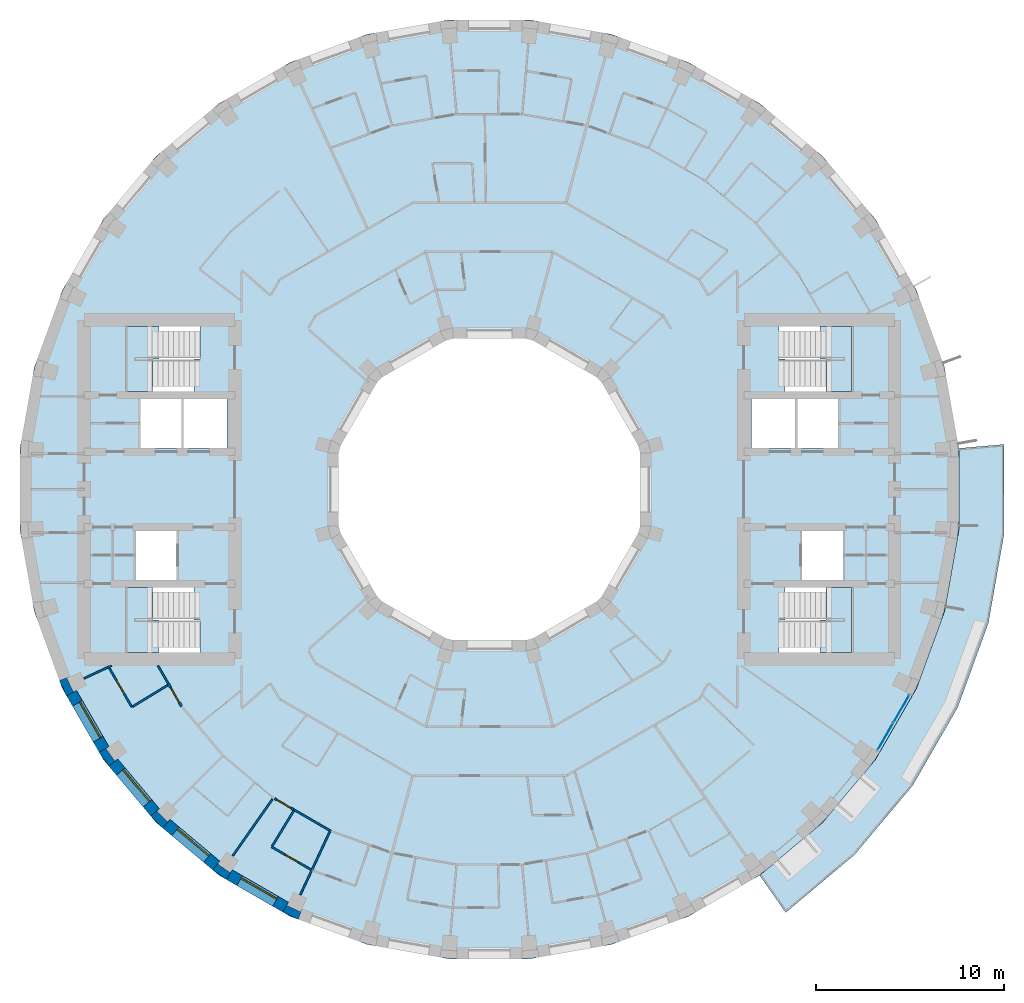
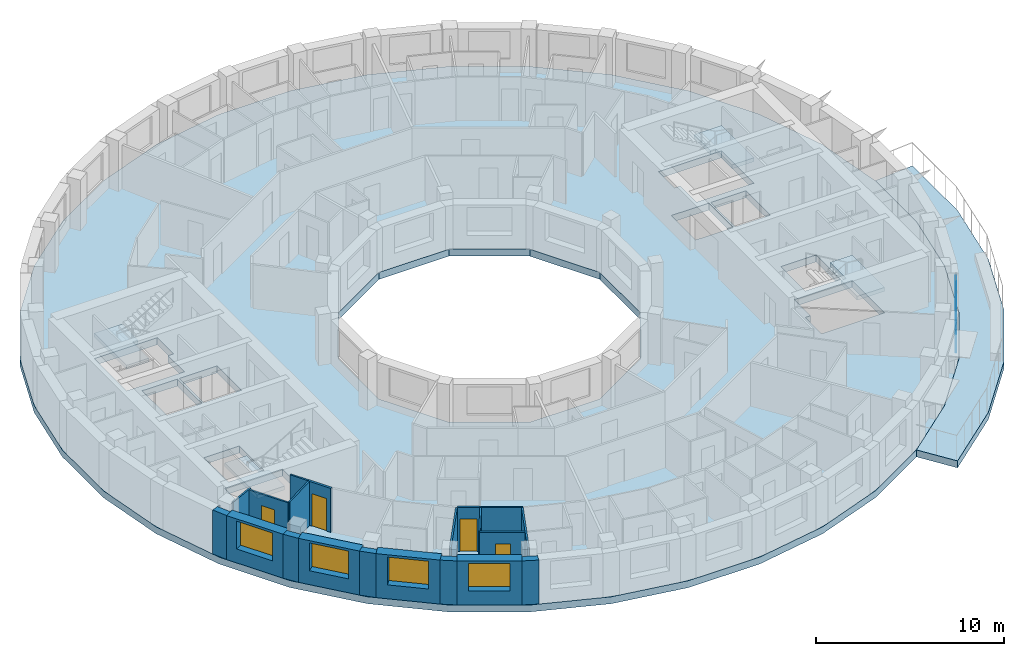
# One storey, part 3 of 14: 20 walls, 6 slabs, 4 doors, 4 plates, 4 windows, 8 openings, 5 elements without a shape of their own.
"""IFC4 building model written with IfcOpenShell, lengths in metres."""

import ifcopenshell
import ifcopenshell.guid

model = None  # the IFC model being written
_history = None  # IfcOwnerHistory: only IFC2X3 demands one
_inside = {}  # id of a spatial element -> (the spatial element, [elements in it])
_under = {}  # id of a project, library or spatial element -> (it, [spatial elements below it])
_declared = {}  # id of a project -> (the project, [libraries it declares])
_typed = {}  # id of a type object -> (the type object, [elements of that type])
_made_of = {}  # id of a material, layer set ... -> (it, [elements and type objects made of it])


def new_model(schema):
    """Start an empty IFC model of exactly this schema.

    Asked for "IFC4X3", IfcOpenShell would pick the latest addendum, in which some entities
    have other attributes; the version numbers below select the first issue.
    IFC2X3 requires an IfcOwnerHistory on every rooted entity: one is made here for all.
    """
    global model, _history
    if schema == "IFC4X3":
        model = ifcopenshell.file(schema_version=(4, 3, 0, 0))
    else:
        model = ifcopenshell.file(schema=schema)
    _inside.clear()
    _under.clear()
    _declared.clear()
    _typed.clear()
    _made_of.clear()
    _history = None
    if model.schema == "IFC2X3":
        org = make("IfcOrganization", Name="unknown")
        user = make(
            "IfcPersonAndOrganization",
            ThePerson=make("IfcPerson", FamilyName="unknown"),
            TheOrganization=org,
        )
        app = make(
            "IfcApplication",
            ApplicationDeveloper=org,
            Version="unknown",
            ApplicationFullName="unknown",
            ApplicationIdentifier="unknown",
        )
        _history = make(
            "IfcOwnerHistory",
            OwningUser=user,
            OwningApplication=app,
            ChangeAction="ADDED",
            CreationDate=0,
        )
    return model


def make(cls, **values):
    """One entity of the class cls with the attributes given. An attribute that is None is left unset."""
    return model.create_entity(
        cls, **{name: value for name, value in values.items() if value is not None}
    )


def rooted(cls, **values):
    """An entity with a GlobalId (a new one), such as an element, a storey or a relation."""
    return make(cls, GlobalId=ifcopenshell.guid.new(), OwnerHistory=_history, **values)


def si_unit(unit_type, name, prefix=None):
    """IfcSIUnit, for example si_unit("LENGTHUNIT", "METRE", prefix="MILLI")."""
    return make("IfcSIUnit", UnitType=unit_type, Prefix=prefix, Name=name)


def assignment(units):
    """IfcUnitAssignment: the units of a project."""
    return None if units is None else make("IfcUnitAssignment", Units=units)


def point(xyz):
    """IfcCartesianPoint."""
    return None if xyz is None else make("IfcCartesianPoint", Coordinates=xyz)


def direction(xyz):
    """IfcDirection."""
    return None if xyz is None else make("IfcDirection", DirectionRatios=xyz)


def frame(location, z_axis=None, x_axis=None):
    """IfcAxis2Placement3D, a coordinate frame: its origin and axes. An axis left out is left unset."""
    return make(
        "IfcAxis2Placement3D",
        Location=point(location),
        Axis=direction(z_axis),
        RefDirection=direction(x_axis),
    )


def frame_2d(location, x_axis=None):
    """IfcAxis2Placement2D, a coordinate frame in the plane: its origin and x axis."""
    return make(
        "IfcAxis2Placement2D", Location=point(location), RefDirection=direction(x_axis)
    )


def origin():
    """The frame at (0, 0, 0) with its axes left unset."""
    return frame((0.0, 0.0, 0.0))


def origin_2d():
    """The frame at (0, 0) in the plane with its x axis left unset."""
    return frame_2d((0.0, 0.0))


def place(relative_to, where):
    """IfcLocalPlacement: puts the frame where relative to a parent placement (None: the world)."""
    return make(
        "IfcLocalPlacement", PlacementRelTo=relative_to, RelativePlacement=where
    )


def context(
    kind, dimensions, precision=None, world=None, true_north=None, identifier=None
):
    """IfcGeometricRepresentationContext, for example the 3D "Model" context."""
    return make(
        "IfcGeometricRepresentationContext",
        ContextIdentifier=identifier,
        ContextType=kind,
        CoordinateSpaceDimension=dimensions,
        Precision=precision,
        WorldCoordinateSystem=world,
        TrueNorth=true_north,
    )


def subcontext(parent, identifier, kind, view, scale=None):
    """IfcGeometricRepresentationSubContext, for example "Body" below "Model"."""
    return make(
        "IfcGeometricRepresentationSubContext",
        ContextIdentifier=identifier,
        ContextType=kind,
        ParentContext=parent,
        TargetScale=scale,
        TargetView=view,
    )


def project(units=None, contexts=None):
    """IfcProject with its units and contexts."""
    return rooted(
        "IfcProject",
        Name="project",
        RepresentationContexts=contexts,
        UnitsInContext=assignment(units),
    )


def spatial(cls, under=None, at=None, **own):
    """A site, building, storey or space (cls), placed at a placement, below another one or the project."""
    s = rooted(cls, ObjectPlacement=at, **own)
    if under is not None:
        _under.setdefault(under.id(), (under, []))[1].append(s)
    return s


def polyline(points):
    """IfcPolyline through the points."""
    return make("IfcPolyline", Points=[point(p) for p in points])


def profile(cls, at=None, kind="AREA", **sizes):
    """A parametric profile (cls). Its sizes go by their IFC names, for example OverallWidth=200.0."""
    return make(cls, ProfileType=kind, Position=at, **sizes)


def rectangle(**sizes):
    """IfcRectangleProfileDef."""
    return profile("IfcRectangleProfileDef", **sizes)


def outline(outer, holes=None, kind="AREA"):
    """IfcArbitraryClosedProfileDef: a profile drawn as a closed curve; with holes, ...WithVoids."""
    if holes is None:
        return make("IfcArbitraryClosedProfileDef", ProfileType=kind, OuterCurve=outer)
    return make(
        "IfcArbitraryProfileDefWithVoids",
        ProfileType=kind,
        OuterCurve=outer,
        InnerCurves=holes,
    )


def extrude(swept, where, along, depth):
    """IfcExtrudedAreaSolid: the profile swept, set in the frame where, extruded along a direction by depth."""
    return make(
        "IfcExtrudedAreaSolid",
        SweptArea=swept,
        Position=where,
        ExtrudedDirection=direction(along),
        Depth=depth,
    )


def shape(context_of_items, identifier, shape_type, items):
    """IfcShapeRepresentation: the items that make up one representation, for example the "Body"."""
    return make(
        "IfcShapeRepresentation",
        ContextOfItems=context_of_items,
        RepresentationIdentifier=identifier,
        RepresentationType=shape_type,
        Items=items,
    )


def material(Name=None, Category=None):
    """IfcMaterial."""
    return make("IfcMaterial", Name=Name, Category=Category)


def layer(
    of_material, thickness, ventilated=None, Name=None, Category=None, Priority=None
):
    """IfcMaterialLayer: one layer of a wall or slab, of a material (None: an air gap)."""
    return make(
        "IfcMaterialLayer",
        Material=of_material,
        LayerThickness=thickness,
        IsVentilated=ventilated,
        Name=Name,
        Category=Category,
        Priority=Priority,
    )


def layer_set(layers, Name=None):
    """IfcMaterialLayerSet."""
    return make("IfcMaterialLayerSet", MaterialLayers=layers, LayerSetName=Name)


def made_of(thing, what):
    """Note that an element or type object is made of a material, layer set ...; save() writes the relation."""
    if what is not None:
        _made_of.setdefault(what.id(), (what, []))[1].append(thing)
    return thing


def type_object(cls, material=None, **own):
    """A type object (cls), such as IfcWallType, which elements share."""
    return made_of(rooted(cls, **own), material)


def element(
    cls,
    number,
    at=None,
    inside=None,
    cuts=None,
    type_object=None,
    material=None,
    context=None,
    identifier="Body",
    shape_type=None,
    held_by="IfcProductDefinitionShape",
    body=None,
    shapes=None,
    **own,
):
    """One element of the class cls, such as IfcWall. Its Tag is "e" and its number.

    at: its placement. inside: the storey or other place that contains it. cuts: it is an
    opening in that element (IfcRelVoidsElement). A single representation is given by context,
    identifier, shape_type and body (its items); several are given by shapes. held_by: the class
    of the entity that holds the representations. save() writes the other relations.
    """
    e = rooted(cls, Tag="e%d" % number, ObjectPlacement=at, **own)
    if body is not None:
        shapes = [shape(context, identifier, shape_type, body)]
    if shapes is not None:
        e.Representation = make(held_by, Representations=shapes)
    if inside is not None:
        _inside.setdefault(inside.id(), (inside, []))[1].append(e)
    if cuts is not None:
        rooted(
            "IfcRelVoidsElement", RelatingBuildingElement=cuts, RelatedOpeningElement=e
        )
    if type_object is not None:
        _typed.setdefault(type_object.id(), (type_object, []))[1].append(e)
    return made_of(e, material)


def fill(opening, filler):
    """IfcRelFillsElement: the door or window that sits in an opening."""
    return rooted(
        "IfcRelFillsElement",
        RelatingOpeningElement=opening,
        RelatedBuildingElement=filler,
    )


def aggregate(whole, parts):
    """IfcRelAggregates: a whole, such as a stair, and the parts it consists of."""
    return rooted("IfcRelAggregates", RelatingObject=whole, RelatedObjects=parts)


def save(model, path):
    """Write the relations noted so far, then the file.

    IfcRelAggregates (storeys below a building ...), IfcRelContainedInSpatialStructure (elements
    in a storey), IfcRelDefinesByType, IfcRelAssociatesMaterial and IfcRelDeclares: one each for
    every whole, place, type object, material and project.
    """
    for whole, parts in _under.values():
        aggregate(whole, parts)
    for where, things in _inside.values():
        rooted(
            "IfcRelContainedInSpatialStructure",
            RelatedElements=things,
            RelatingStructure=where,
        )
    for kind, things in _typed.values():
        rooted("IfcRelDefinesByType", RelatedObjects=things, RelatingType=kind)
    for what, things in _made_of.values():
        rooted("IfcRelAssociatesMaterial", RelatedObjects=things, RelatingMaterial=what)
    for by, libraries in _declared.values():
        rooted("IfcRelDeclares", RelatingContext=by, RelatedDefinitions=libraries)
    model.write(path)


model = new_model("IFC4")

# Units and contexts
model_context = context("Model", 3, precision=1e-05, world=origin(), true_north=direction((0.0, 1.0)))
body_context = subcontext(model_context, "Body", "Model", "MODEL_VIEW")
ifc_project = project(units=[si_unit("LENGTHUNIT", "METRE"), si_unit("AREAUNIT", "SQUARE_METRE"), si_unit("VOLUMEUNIT", "CUBIC_METRE"), si_unit("PLANEANGLEUNIT", "RADIAN"), si_unit("MASSUNIT", "GRAM", prefix="KILO")], contexts=[model_context])

# Site, building, storey
site_placement = place(None, origin())
site = spatial("IfcSite", under=ifc_project, at=site_placement, CompositionType="ELEMENT")
building_placement = place(site_placement, origin())
building = spatial("IfcBuilding", under=site, at=building_placement, Name="Saqina Gate Tower", CompositionType="ELEMENT")
storey_placement = place(building_placement, frame((0.0, 0.0, 177.300048828125)))
storey = spatial("IfcBuildingStorey", under=building, at=storey_placement, Name="L50", CompositionType="ELEMENT", Elevation=177.300048828125)

# Curtain wall, plates
ifc_material_1 = material(Name="Aluminium glazing", Category="aluminium")
ifc_layer_1 = layer(ifc_material_1, 0.159912109375)
ifc_layer_set_1 = layer_set([ifc_layer_1], Name="CWT-4")
curtain_wall_type = type_object("IfcCurtainWallType", Name="CWT-4", PredefinedType="NOTDEFINED", material=ifc_layer_set_1)
curtain_wall_placement = place(storey_placement, origin())
curtain_wall = element("IfcCurtainWall", 1, at=curtain_wall_placement, inside=storey, type_object=curtain_wall_type, Name="Terrace lounge glazing facet 33", PredefinedType="NOTDEFINED")
ifc_material_2 = material(Name="Glass", Category="glass")
ifc_layer_2 = layer(ifc_material_2, 0.028076171875)
ifc_layer_set_2 = layer_set([ifc_layer_2], Name="CWT-4P")
plate_type = type_object("IfcPlateType", Name="CWT-4P", PredefinedType="CURTAIN_PANEL", material=ifc_layer_set_2)
plate_1_placement = place(storey_placement, frame((21.0146484375, -13.111328125, 0.059814453125), z_axis=(0.0, 0.0, 1.0), x_axis=(0.500014364391, 0.866017110341, 0.0)))
plate_1 = element("IfcPlate", 2, at=plate_1_placement, type_object=plate_type, Name="CW4-33 panel 1.1", PredefinedType="CURTAIN_PANEL", context=body_context, shape_type="SweptSolid", body=[
    extrude(rectangle(XDim=1.634765625, YDim=0.028076171875, at=origin_2d()), origin(), (0.0, 0.0, 1.0), 2.31005859375),
])
plate_2_placement = place(storey_placement, frame((21.0146484375, -13.111328125, 2.4296875), z_axis=(0.0, 0.0, 1.0), x_axis=(0.500014364391, 0.866017110341, 0.0)))
plate_2 = element("IfcPlate", 3, at=plate_2_placement, type_object=plate_type, Name="CW4-33 panel 1.2", PredefinedType="CURTAIN_PANEL", context=body_context, shape_type="SweptSolid", body=[
    extrude(rectangle(XDim=1.634765625, YDim=0.028076171875, at=origin_2d()), origin(), (0.0, 0.0, 1.0), 0.360107421875),
])
plate_3_placement = place(storey_placement, frame((21.862060546875, -11.6435546875, 0.059814453125), z_axis=(0.0, 0.0, 1.0), x_axis=(0.500014364391, 0.866017110341, 0.0)))
plate_3 = element("IfcPlate", 4, at=plate_3_placement, type_object=plate_type, Name="CW4-33 panel 2.1", PredefinedType="CURTAIN_PANEL", context=body_context, shape_type="SweptSolid", body=[
    extrude(rectangle(XDim=1.634765625, YDim=0.028076171875, at=origin_2d()), origin(), (0.0, 0.0, 1.0), 2.31005859375),
])
plate_4_placement = place(storey_placement, frame((21.862060546875, -11.6435546875, 2.4296875), z_axis=(0.0, 0.0, 1.0), x_axis=(0.500014364391, 0.866017110341, 0.0)))
plate_4 = element("IfcPlate", 5, at=plate_4_placement, type_object=plate_type, Name="CW4-33 panel 2.2", PredefinedType="CURTAIN_PANEL", context=body_context, shape_type="SweptSolid", body=[
    extrude(rectangle(XDim=1.634765625, YDim=0.028076171875, at=origin_2d()), origin(), (0.0, 0.0, 1.0), 0.360107421875),
])
aggregate(curtain_wall, [plate_1, plate_2, plate_3, plate_4])

# Stair, slab
ifc_material_3 = material(Name="Concrete C40/50", Category="concrete")
stair_type = type_object("IfcStairType", Name="EXIT STAIR", PredefinedType="HALF_TURN_STAIR", material=ifc_material_3)
stair_1_placement = place(storey_placement, origin())
stair_1 = element("IfcStair", 6, at=stair_1_placement, inside=storey, type_object=stair_type, Name="EXIT STAIR 1", PredefinedType="HALF_TURN_STAIR")
ifc_material_4 = material(Name="Concrete C40/50", Category="concrete")
ifc_layer_3 = layer(ifc_material_4, 0.25)
ifc_layer_set_3 = layer_set([ifc_layer_3], Name="Concrete C40/50")
slab_type_1 = type_object("IfcSlabType", Name="EXIT STAIR LANDING", PredefinedType="LANDING", material=ifc_layer_set_3)
slab_1_placement = place(storey_placement, frame((0.0, 0.0, 1.39990234375)))
slab_1 = element("IfcSlab", 7, at=slab_1_placement, type_object=slab_type_1, Name="EXIT STAIR 1 LANDING 1", PredefinedType="LANDING", context=body_context, shape_type="SweptSolid", body=[
    extrude(outline(polyline([(19.219970703125, 8.64990234375), (19.219970703125, 5.199951171875), (17.864990234375, 5.199951171875), (17.864990234375, 6.925048828125), (17.534423828125, 6.925048828125), (17.534423828125, 8.64990234375), (17.864990234375, 8.64990234375), (17.8701171875, 8.64990234375), (19.219970703125, 8.64990234375)])), origin(), (0.0, 0.0, 1.0), 0.25),
])
aggregate(stair_1, [slab_1])

stair_2_placement = place(storey_placement, origin())
stair_2 = element("IfcStair", 8, at=stair_2_placement, inside=storey, type_object=stair_type, Name="EXIT STAIR 2", PredefinedType="HALF_TURN_STAIR")
slab_2_placement = place(storey_placement, frame((0.0, 0.0, 1.39990234375)))
slab_2 = element("IfcSlab", 9, at=slab_2_placement, type_object=slab_type_1, Name="EXIT STAIR 2 LANDING 1", PredefinedType="LANDING", context=body_context, shape_type="SweptSolid", body=[
    extrude(outline(polyline([(17.534423828125, -8.64990234375), (17.534423828125, -6.925048828125), (17.864990234375, -6.925048828125), (17.864990234375, -5.199951171875), (19.219970703125, -5.199951171875), (19.219970703125, -8.64990234375), (17.8701171875, -8.64990234375), (17.864990234375, -8.64990234375), (17.534423828125, -8.64990234375)])), origin(), (0.0, 0.0, 1.0), 0.25),
])
aggregate(stair_2, [slab_2])

stair_3_placement = place(storey_placement, origin())
stair_3 = element("IfcStair", 10, at=stair_3_placement, inside=storey, type_object=stair_type, Name="EXIT STAIR 3", PredefinedType="HALF_TURN_STAIR")
slab_3_placement = place(storey_placement, frame((0.0, 0.0, 1.39990234375)))
slab_3 = element("IfcSlab", 11, at=slab_3_placement, type_object=slab_type_1, Name="EXIT STAIR 3 LANDING 1", PredefinedType="LANDING", context=body_context, shape_type="SweptSolid", body=[
    extrude(outline(polyline([(-17.864990234375, 5.199951171875), (-19.219970703125, 5.199951171875), (-19.219970703125, 8.64990234375), (-17.8701171875, 8.64990234375), (-17.864990234375, 8.64990234375), (-17.534423828125, 8.64990234375), (-17.534423828125, 6.925048828125), (-17.864990234375, 6.925048828125), (-17.864990234375, 5.199951171875)])), origin(), (0.0, 0.0, 1.0), 0.25),
])
aggregate(stair_3, [slab_3])

stair_4_placement = place(storey_placement, origin())
stair_4 = element("IfcStair", 12, at=stair_4_placement, inside=storey, type_object=stair_type, Name="EXIT STAIR 4", PredefinedType="HALF_TURN_STAIR")
slab_4_placement = place(storey_placement, frame((0.0, 0.0, 1.39990234375)))
slab_4 = element("IfcSlab", 13, at=slab_4_placement, type_object=slab_type_1, Name="EXIT STAIR 4 LANDING 1", PredefinedType="LANDING", context=body_context, shape_type="SweptSolid", body=[
    extrude(outline(polyline([(-17.534423828125, -6.925048828125), (-17.534423828125, -8.64990234375), (-17.864990234375, -8.64990234375), (-17.8701171875, -8.64990234375), (-19.219970703125, -8.64990234375), (-19.219970703125, -5.199951171875), (-17.864990234375, -5.199951171875), (-17.864990234375, -6.925048828125), (-17.534423828125, -6.925048828125)])), origin(), (0.0, 0.0, 1.0), 0.25),
])
aggregate(stair_4, [slab_4])

# Slabs
ifc_material_5 = material(Name="Concrete C40/50", Category="concrete")
ifc_layer_4 = layer(ifc_material_5, 0.449951171875)
ifc_layer_set_4 = layer_set([ifc_layer_4], Name="Concrete C40/50")
slab_type_2 = type_object("IfcSlabType", Name="STR-POST-TENSIONED FLAT PLATE FLOOR-450", PredefinedType="FLOOR", material=ifc_layer_set_4)
slab_5_placement = place(storey_placement, frame((0.0, 0.0, -0.449951171875)))
element("IfcSlab", 14, at=slab_5_placement, inside=storey, type_object=slab_type_2, Name="L50-SLB01", PredefinedType="FLOOR", context=body_context, shape_type="SweptSolid", body=[
    extrude(outline(polyline([(24.148193359375, -6.470458984375), (24.90478515625, -2.178955078125), (24.90478515625, 2.178955078125), (24.148193359375, 6.470458984375), (22.65771484375, 10.5654296875), (20.478759765625, 14.33935546875), (17.677734375, 17.677734375), (14.33935546875, 20.478759765625), (10.5654296875, 22.65771484375), (6.470458984375, 24.148193359375), (2.178955078125, 24.90478515625), (-2.178955078125, 24.90478515625), (-6.470458984375, 24.148193359375), (-10.5654296875, 22.65771484375), (-14.33935546875, 20.478759765625), (-17.677734375, 17.677734375), (-20.478759765625, 14.33935546875), (-22.65771484375, 10.5654296875), (-24.148193359375, 6.470458984375), (-24.90478515625, 2.178955078125), (-24.90478515625, -2.178955078125), (-24.148193359375, -6.470458984375), (-22.65771484375, -10.5654296875), (-20.478759765625, -14.33935546875), (-17.677734375, -17.677734375), (-14.33935546875, -20.478759765625), (-10.5654296875, -22.65771484375), (-6.470458984375, -24.148193359375), (-2.178955078125, -24.90478515625), (2.178955078125, -24.90478515625), (6.470458984375, -24.148193359375), (10.5654296875, -22.65771484375), (14.33935546875, -20.478759765625), (17.677734375, -17.677734375), (20.478759765625, -14.33935546875), (22.65771484375, -10.5654296875), (24.148193359375, -6.470458984375)]), holes=[polyline([(2.1435546875, 8.0), (5.8564453125, 5.8564453125), (8.0, 2.1435546875), (8.0, -2.1435546875), (5.8564453125, -5.8564453125), (2.1435546875, -8.0), (-2.1435546875, -8.0), (-5.8564453125, -5.8564453125), (-8.0, -2.1435546875), (-8.0, 2.1435546875), (-5.8564453125, 5.8564453125), (-2.1435546875, 8.0), (2.1435546875, 8.0)]), polyline([(-15.35498046875, -8.64990234375), (-19.219970703125, -8.64990234375), (-19.219970703125, -6.925048828125), (-19.219970703125, -5.199951171875), (-15.685546875, -5.199951171875), (-15.685546875, -6.925048828125), (-15.35498046875, -6.925048828125), (-15.35498046875, -8.64990234375)]), polyline([(-16.590087890625, -2.199951171875), (-16.590087890625, -4.800048828125), (-18.75, -4.800048828125), (-18.75, -2.199951171875), (-16.590087890625, -2.199951171875)]), polyline([(-16.340087890625, 4.800048828125), (-16.340087890625, 2.199951171875), (-18.5, 2.199951171875), (-18.5, 4.800048828125), (-16.340087890625, 4.800048828125)]), polyline([(-13.909912109375, 4.800048828125), (-13.909912109375, 2.199951171875), (-16.219970703125, 2.199951171875), (-16.219970703125, 4.800048828125), (-13.909912109375, 4.800048828125)]), polyline([(-19.219970703125, 6.925048828125), (-19.219970703125, 8.64990234375), (-15.35498046875, 8.64990234375), (-15.35498046875, 6.925048828125), (-15.685546875, 6.925048828125), (-15.685546875, 5.199951171875), (-19.219970703125, 5.199951171875), (-19.219970703125, 6.925048828125)]), polyline([(15.35498046875, -8.64990234375), (15.35498046875, -6.925048828125), (15.685546875, -6.925048828125), (15.685546875, -5.199951171875), (19.219970703125, -5.199951171875), (19.219970703125, -6.925048828125), (19.219970703125, -8.64990234375), (15.35498046875, -8.64990234375)]), polyline([(18.75, -2.199951171875), (18.75, -4.800048828125), (16.590087890625, -4.800048828125), (16.590087890625, -2.199951171875), (18.75, -2.199951171875)]), polyline([(16.219970703125, 4.800048828125), (16.219970703125, 2.199951171875), (13.909912109375, 2.199951171875), (13.909912109375, 4.800048828125), (16.219970703125, 4.800048828125)]), polyline([(18.5, 4.800048828125), (18.5, 2.199951171875), (16.340087890625, 2.199951171875), (16.340087890625, 4.800048828125), (18.5, 4.800048828125)]), polyline([(15.685546875, 6.925048828125), (15.35498046875, 6.925048828125), (15.35498046875, 8.64990234375), (19.219970703125, 8.64990234375), (19.219970703125, 6.925048828125), (19.219970703125, 5.199951171875), (15.685546875, 5.199951171875), (15.685546875, 6.925048828125)])]), origin(), (0.0, 0.0, 1.0), 0.449951171875),
])
ifc_material_6 = material(Name="Concrete C40/50", Category="concrete")
ifc_layer_5 = layer(ifc_material_6, 0.449951171875)
ifc_layer_set_5 = layer_set([ifc_layer_5], Name="Concrete C40/50")
slab_type_3 = type_object("IfcSlabType", Name="STR-POST-TENSIONED FLAT PLATE TERRACE-450", PredefinedType="FLOOR", material=ifc_layer_set_5)
slab_6_placement = place(storey_placement, frame((0.0, 0.0, -0.449951171875)))
element("IfcSlab", 15, at=slab_6_placement, inside=storey, type_object=slab_type_3, Name="L50-TRS01", PredefinedType="FLOOR", context=body_context, shape_type="SweptSolid", body=[
    extrude(outline(polyline([(14.33935546875, -20.478759765625), (17.677734375, -17.677734375), (20.478759765625, -14.33935546875), (22.65771484375, -10.5654296875), (24.148193359375, -6.470458984375), (24.90478515625, -2.178955078125), (24.90478515625, 2.178955078125), (27.304931640625, 2.388916015625), (27.304931640625, -2.388916015625), (26.475341796875, -7.093994140625), (24.841064453125, -11.58349609375), (22.452392578125, -15.72119140625), (19.381103515625, -19.381103515625), (15.72119140625, -22.452392578125), (14.33935546875, -20.478759765625)])), origin(), (0.0, 0.0, 1.0), 0.449951171875),
])

# Walls
ifc_material_7 = material(Name="Brick masonry (buff)", Category="masonry")
wall_type_1 = type_object("IfcWallType", Name="BRICK PIER COPING BUFF", PredefinedType="SOLIDWALL", material=ifc_material_7)
wall_1_placement = place(storey_placement, origin())
element("IfcWall", 16, at=wall_1_placement, inside=storey, type_object=wall_type_1, Name="Pier cap L50 column 21", PredefinedType="SOLIDWALL", context=body_context, shape_type="SweptSolid", body=[
    extrude(outline(polyline([(-22.4306640625, -10.958740234375), (-21.9111328125, -10.65869140625), (-22.080810546875, -10.73779296875), (-22.4189453125, -10.0126953125), (-22.249267578125, -9.93359375), (-22.81298828125, -10.138916015625), (-22.4306640625, -10.958740234375)])), origin(), (0.0, 0.0, 1.0), 2.849853515625),
])
wall_2_placement = place(storey_placement, origin())
element("IfcWall", 17, at=wall_2_placement, inside=storey, type_object=wall_type_1, Name="Pier cap L50 column 22", PredefinedType="SOLIDWALL", context=body_context, shape_type="SweptSolid", body=[
    extrude(outline(polyline([(-20.705810546875, -13.9462890625), (-20.18701171875, -14.687255859375), (-19.727294921875, -14.301513671875), (-19.880859375, -14.408935546875), (-20.339599609375, -13.753662109375), (-20.186279296875, -13.646240234375), (-20.705810546875, -13.9462890625)])), origin(), (0.0, 0.0, 1.0), 2.849853515625),
])
wall_3_placement = place(storey_placement, origin())
element("IfcWall", 18, at=wall_3_placement, inside=storey, type_object=wall_type_1, Name="Pier cap L50 column 23", PredefinedType="SOLIDWALL", context=body_context, shape_type="SweptSolid", body=[
    extrude(outline(polyline([(-17.329833984375, -17.969482421875), (-16.944091796875, -17.510009765625), (-17.07666015625, -17.642333984375), (-17.642333984375, -17.07666015625), (-17.510009765625, -16.944091796875), (-17.969482421875, -17.329833984375), (-17.329833984375, -17.969482421875)])), origin(), (0.0, 0.0, 1.0), 2.849853515625),
])
wall_4_placement = place(storey_placement, origin())
element("IfcWall", 19, at=wall_4_placement, inside=storey, type_object=wall_type_1, Name="Pier cap L50 column 24", PredefinedType="SOLIDWALL", context=body_context, shape_type="SweptSolid", body=[
    extrude(outline(polyline([(-14.687255859375, -20.18701171875), (-13.9462890625, -20.705810546875), (-13.646240234375, -20.186279296875), (-13.753662109375, -20.339599609375), (-14.408935546875, -19.880859375), (-14.301513671875, -19.727294921875), (-14.687255859375, -20.18701171875)])), origin(), (0.0, 0.0, 1.0), 2.849853515625),
])
wall_5_placement = place(storey_placement, origin())
element("IfcWall", 20, at=wall_5_placement, inside=storey, type_object=wall_type_1, Name="Pier cap L50 column 25", PredefinedType="SOLIDWALL", context=body_context, shape_type="SweptSolid", body=[
    extrude(outline(polyline([(-10.138916015625, -22.81298828125), (-9.93359375, -22.249267578125), (-10.0126953125, -22.4189453125), (-10.73779296875, -22.080810546875), (-10.65869140625, -21.9111328125), (-10.958740234375, -22.4306640625), (-10.138916015625, -22.81298828125)])), origin(), (0.0, 0.0, 1.0), 2.849853515625),
])

# Wall, opening, window
ifc_material_8 = material(Name="Brick masonry (buff)", Category="masonry")
ifc_layer_6 = layer(ifc_material_8, 0.60009765625)
ifc_layer_set_6 = layer_set([ifc_layer_6], Name="FW-BRICK-BUFF")
wall_type_2 = type_object("IfcWallType", Name="FW-BRICK-BUFF", PredefinedType="SOLIDWALL", material=ifc_layer_set_6)
wall_6_placement = place(storey_placement, frame((-22.1708984375, -10.80859375, 0.0), z_axis=(0.0, 0.0, 1.0), x_axis=(0.499998129301, -0.86602648383, 0.0)))
wall_6 = element("IfcWall", 21, at=wall_6_placement, inside=storey, type_object=wall_type_2, Name="Facade wall L50 facet 21", PredefinedType="SOLIDWALL", context=body_context, shape_type="SweptSolid", body=[
    extrude(rectangle(XDim=3.44970703125, YDim=0.60009765625, at=frame_2d((1.724853515625, 0.0))), origin(), (0.0, 0.0, 1.0), 2.849853515625),
])
opening_1_placement = place(wall_6_placement, frame((0.625, 0.0, 0.89990234375)))
opening_1 = element("IfcOpeningElement", 22, at=opening_1_placement, cuts=wall_6, Name="Opening G14-W14", PredefinedType="OPENING", context=body_context, shape_type="SweptSolid", body=[
    extrude(rectangle(XDim=2.199951171875, YDim=1.800048828125, at=frame_2d((1.10009765625, 0.89990234375))), frame((0.0, 0.31201171875, 0.0), z_axis=(0.0, -1.0, 0.0), x_axis=(1.0, 0.0, 0.0)), (0.0, 0.0, 1.0), 0.6240234375),
])
ifc_material_9 = material(Name="Aluminium glazing", Category="aluminium")
window_type = type_object("IfcWindowType", Name="WN-C", PartitioningType="SINGLE_PANEL", PredefinedType="WINDOW", material=ifc_material_9)
window_1_placement = place(opening_1_placement, origin())
window_1 = element("IfcWindow", 23, at=window_1_placement, inside=storey, type_object=window_type, Name="Window L50 facet 21", OverallHeight=1.800048828125, OverallWidth=2.199951171875, PartitioningType="SINGLE_PANEL", PredefinedType="WINDOW", context=body_context, shape_type="SweptSolid", body=[
    extrude(rectangle(XDim=2.199951171875, YDim=1.800048828125, at=frame_2d((1.10009765625, 0.89990234375))), frame((0.0, 0.179931640625, 0.0), z_axis=(0.0, -1.0, 0.0), x_axis=(1.0, 0.0, 0.0)), (0.0, 0.0, 1.0), 0.06005859375),
])
fill(opening_1, window_1)

wall_7_placement = place(storey_placement, frame((-19.95703125, -14.494384765625, 0.0), z_axis=(0.0, 0.0, 1.0), x_axis=(0.642770398358, -0.766058884809, 0.0)))
wall_7 = element("IfcWall", 24, at=wall_7_placement, inside=storey, type_object=wall_type_2, Name="Facade wall L50 facet 22", PredefinedType="SOLIDWALL", context=body_context, shape_type="SweptSolid", body=[
    extrude(rectangle(XDim=3.449462890625, YDim=0.60009765625, at=frame_2d((1.724609375, 0.0))), origin(), (0.0, 0.0, 1.0), 2.849853515625),
])
opening_2_placement = place(wall_7_placement, frame((0.625, 0.0, 0.89990234375)))
opening_2 = element("IfcOpeningElement", 25, at=opening_2_placement, cuts=wall_7, Name="Opening G14-W15", PredefinedType="OPENING", context=body_context, shape_type="SweptSolid", body=[
    extrude(rectangle(XDim=2.199951171875, YDim=1.800048828125, at=frame_2d((1.10009765625, 0.89990234375))), frame((0.0, 0.31201171875, 0.0), z_axis=(0.0, -1.0, 0.0), x_axis=(1.0, 0.0, 0.0)), (0.0, 0.0, 1.0), 0.6240234375),
])
window_2_placement = place(opening_2_placement, origin())
window_2 = element("IfcWindow", 26, at=window_2_placement, inside=storey, type_object=window_type, Name="Window L50 facet 22", OverallHeight=1.800048828125, OverallWidth=2.199951171875, PartitioningType="SINGLE_PANEL", PredefinedType="WINDOW", context=body_context, shape_type="SweptSolid", body=[
    extrude(rectangle(XDim=2.199951171875, YDim=1.800048828125, at=frame_2d((1.10009765625, 0.89990234375))), frame((0.0, 0.179931640625, 0.0), z_axis=(0.0, -1.0, 0.0), x_axis=(1.0, 0.0, 0.0)), (0.0, 0.0, 1.0), 0.06005859375),
])
fill(opening_2, window_2)

wall_8_placement = place(storey_placement, frame((-17.136962890625, -17.73974609375, 0.0), z_axis=(0.0, 0.0, 1.0), x_axis=(0.766058884809, -0.642770398358, 0.0)))
wall_8 = element("IfcWall", 27, at=wall_8_placement, inside=storey, type_object=wall_type_2, Name="Facade wall L50 facet 23", PredefinedType="SOLIDWALL", context=body_context, shape_type="SweptSolid", body=[
    extrude(rectangle(XDim=3.449462890625, YDim=0.60009765625, at=frame_2d((1.724609375, 0.0))), origin(), (0.0, 0.0, 1.0), 2.849853515625),
])
opening_3_placement = place(wall_8_placement, frame((0.625, 0.0, 0.89990234375)))
opening_3 = element("IfcOpeningElement", 28, at=opening_3_placement, cuts=wall_8, Name="Opening G14-W16", PredefinedType="OPENING", context=body_context, shape_type="SweptSolid", body=[
    extrude(rectangle(XDim=2.199951171875, YDim=1.800048828125, at=frame_2d((1.10009765625, 0.89990234375))), frame((0.0, 0.31201171875, 0.0), z_axis=(0.0, -1.0, 0.0), x_axis=(1.0, 0.0, 0.0)), (0.0, 0.0, 1.0), 0.6240234375),
])
window_3_placement = place(opening_3_placement, origin())
window_3 = element("IfcWindow", 29, at=window_3_placement, inside=storey, type_object=window_type, Name="Window L50 facet 23", OverallHeight=1.800048828125, OverallWidth=2.199951171875, PartitioningType="SINGLE_PANEL", PredefinedType="WINDOW", context=body_context, shape_type="SweptSolid", body=[
    extrude(rectangle(XDim=2.199951171875, YDim=1.800048828125, at=frame_2d((1.10009765625, 0.89990234375))), frame((0.0, 0.179931640625, 0.0), z_axis=(0.0, -1.0, 0.0), x_axis=(1.0, 0.0, 0.0)), (0.0, 0.0, 1.0), 0.06005859375),
])
fill(opening_3, window_3)

wall_9_placement = place(storey_placement, frame((-13.796142578125, -20.446044921875, 0.0), z_axis=(0.0, 0.0, 1.0), x_axis=(0.86602648383, -0.499998129301, 0.0)))
wall_9 = element("IfcWall", 30, at=wall_9_placement, inside=storey, type_object=wall_type_2, Name="Facade wall L50 facet 24", PredefinedType="SOLIDWALL", context=body_context, shape_type="SweptSolid", body=[
    extrude(rectangle(XDim=3.44970703125, YDim=0.60009765625, at=frame_2d((1.724853515625, 0.0))), origin(), (0.0, 0.0, 1.0), 2.849853515625),
])
opening_4_placement = place(wall_9_placement, frame((0.625, 0.0, 0.89990234375)))
opening_4 = element("IfcOpeningElement", 31, at=opening_4_placement, cuts=wall_9, Name="Opening G14-W17", PredefinedType="OPENING", context=body_context, shape_type="SweptSolid", body=[
    extrude(rectangle(XDim=2.199951171875, YDim=1.800048828125, at=frame_2d((1.10009765625, 0.89990234375))), frame((0.0, 0.31201171875, 0.0), z_axis=(0.0, -1.0, 0.0), x_axis=(1.0, 0.0, 0.0)), (0.0, 0.0, 1.0), 0.6240234375),
])
window_4_placement = place(opening_4_placement, origin())
window_4 = element("IfcWindow", 32, at=window_4_placement, inside=storey, type_object=window_type, Name="Window L50 facet 24", OverallHeight=1.800048828125, OverallWidth=2.199951171875, PartitioningType="SINGLE_PANEL", PredefinedType="WINDOW", context=body_context, shape_type="SweptSolid", body=[
    extrude(rectangle(XDim=2.199951171875, YDim=1.800048828125, at=frame_2d((1.10009765625, 0.89990234375))), frame((0.0, 0.179931640625, 0.0), z_axis=(0.0, -1.0, 0.0), x_axis=(1.0, 0.0, 0.0)), (0.0, 0.0, 1.0), 0.06005859375),
])
fill(opening_4, window_4)

# Wall, opening, door
ifc_material_10 = material(Name="Gypsum board on steel studs, 100 mm", Category="steel")
ifc_layer_7 = layer(ifc_material_10, 0.10009765625)
ifc_layer_set_7 = layer_set([ifc_layer_7], Name="PARTITION 100")
wall_type_3 = type_object("IfcWallType", Name="PARTITION 100", PredefinedType="PARTITIONING", material=ifc_layer_set_7)
wall_10_placement = place(storey_placement, frame((-20.175537109375, -9.46435546875, 0.0), z_axis=(0.0, 0.0, 1.0), x_axis=(0.499824847066, -0.866126504764, 0.0)))
wall_10 = element("IfcWall", 33, at=wall_10_placement, inside=storey, type_object=wall_type_3, Name="PARTITION PW3-20", PredefinedType="PARTITIONING", context=body_context, shape_type="SweptSolid", body=[
    extrude(rectangle(XDim=2.407958984375, YDim=0.10009765625, at=frame_2d((1.2041015625, 0.0))), origin(), (0.0, 0.0, 1.0), 2.849853515625),
])
opening_5_placement = place(wall_10_placement, frame((0.778076171875, 0.0, 0.0)))
opening_5 = element("IfcOpeningElement", 34, at=opening_5_placement, cuts=wall_10, Name="Opening G14-D31", PredefinedType="OPENING", context=body_context, shape_type="SweptSolid", body=[
    extrude(rectangle(XDim=0.800048828125, YDim=2.10009765625, at=frame_2d((0.39990234375, 1.050048828125))), frame((0.0, 0.06201171875, 0.0), z_axis=(0.0, -1.0, 0.0), x_axis=(1.0, 0.0, 0.0)), (0.0, 0.0, 1.0), 0.1240234375),
])
ifc_material_11 = material(Name="Timber door leaf, 800 mm", Category="wood")
door_type_1 = type_object("IfcDoorType", Name="DOOR 800 TIMBER", OperationType="SINGLE_SWING_LEFT", PredefinedType="DOOR", material=ifc_material_11)
door_1_placement = place(opening_5_placement, frame((0.800048828125, 0.0, 0.0), z_axis=(0.0, 0.0, 1.0), x_axis=(-1.0, 0.0, 0.0)))
door_1 = element("IfcDoor", 35, at=door_1_placement, inside=storey, type_object=door_type_1, Name="DOOR G14-D31", OperationType="SINGLE_SWING_RIGHT", OverallHeight=2.10009765625, OverallWidth=0.800048828125, PredefinedType="DOOR", context=body_context, shape_type="SweptSolid", body=[
    extrude(rectangle(XDim=0.800048828125, YDim=2.10009765625, at=frame_2d((0.39990234375, 1.050048828125))), frame((0.0, 0.02490234375, 0.0), z_axis=(0.0, -1.0, 0.0), x_axis=(1.0, 0.0, 0.0)), (0.0, 0.0, 1.0), 0.050048828125),
])
fill(opening_5, door_1)

# Walls
wall_11_placement = place(storey_placement, frame((-17.5859375, -9.35009765625, 0.0), z_axis=(0.0, 0.0, 1.0), x_axis=(0.499902521513, -0.866081675701, 0.0)))
element("IfcWall", 36, at=wall_11_placement, inside=storey, type_object=wall_type_3, Name="PARTITION PW3-21", PredefinedType="PARTITIONING", context=body_context, shape_type="SweptSolid", body=[
    extrude(rectangle(XDim=1.095458984375, YDim=0.10009765625, at=frame_2d((0.5478515625, 0.0))), origin(), (0.0, 0.0, 1.0), 2.849853515625),
])
wall_12_placement = place(storey_placement, frame((-10.39453125, -16.97900390625, 0.0), z_axis=(0.0, 0.0, 1.0), x_axis=(0.86526186487, -0.501320162373, 0.0)))
element("IfcWall", 37, at=wall_12_placement, inside=storey, type_object=wall_type_3, Name="PARTITION PW3-34", PredefinedType="PARTITIONING", context=body_context, shape_type="SweptSolid", body=[
    extrude(rectangle(XDim=2.304931640625, YDim=0.10009765625, at=frame_2d((1.15234375, 0.0))), origin(), (0.0, 0.0, 1.0), 2.849853515625),
])

# Wall, opening, door
wall_13_placement = place(storey_placement, frame((-11.550048828125, -18.971923828125, 0.0), z_axis=(0.0, 0.0, 1.0), x_axis=(0.866140030745, -0.499801407703, 0.0)))
wall_13 = element("IfcWall", 38, at=wall_13_placement, inside=storey, type_object=wall_type_3, Name="PARTITION PW3-36", PredefinedType="PARTITIONING", context=body_context, shape_type="SweptSolid", body=[
    extrude(rectangle(XDim=2.4091796875, YDim=0.10009765625, at=frame_2d((1.20458984375, 0.0))), origin(), (0.0, 0.0, 1.0), 2.849853515625),
])
opening_6_placement = place(wall_13_placement, frame((0.82958984375, 0.0, 0.0)))
opening_6 = element("IfcOpeningElement", 39, at=opening_6_placement, cuts=wall_13, Name="Opening G14-D39", PredefinedType="OPENING", context=body_context, shape_type="SweptSolid", body=[
    extrude(rectangle(XDim=0.800048828125, YDim=2.10009765625, at=frame_2d((0.39990234375, 1.050048828125))), frame((0.0, 0.06201171875, 0.0), z_axis=(0.0, -1.0, 0.0), x_axis=(1.0, 0.0, 0.0)), (0.0, 0.0, 1.0), 0.1240234375),
])
door_2_placement = place(opening_6_placement, frame((0.800048828125, 0.0, 0.0), z_axis=(0.0, 0.0, 1.0), x_axis=(-1.0, 0.0, 0.0)))
door_2 = element("IfcDoor", 40, at=door_2_placement, inside=storey, type_object=door_type_1, Name="DOOR G14-D39", OperationType="SINGLE_SWING_LEFT", OverallHeight=2.10009765625, OverallWidth=0.800048828125, PredefinedType="DOOR", context=body_context, shape_type="SweptSolid", body=[
    extrude(rectangle(XDim=0.800048828125, YDim=2.10009765625, at=frame_2d((0.39990234375, 1.050048828125))), frame((0.0, 0.02490234375, 0.0), z_axis=(0.0, -1.0, 0.0), x_axis=(1.0, 0.0, 0.0)), (0.0, 0.0, 1.0), 0.050048828125),
])
fill(opening_6, door_2)

# Walls
wall_14_placement = place(storey_placement, frame((-21.515625, -10.033203125, 0.0), z_axis=(0.0, 0.0, 1.0), x_axis=(0.906156125341, 0.422943349051, 0.0)))
element("IfcWall", 41, at=wall_14_placement, inside=storey, type_object=wall_type_3, Name="PARTITION PW3-67", PredefinedType="PARTITIONING", context=body_context, shape_type="SweptSolid", body=[
    extrude(rectangle(XDim=1.6162109375, YDim=0.10009765625, at=frame_2d((0.80810546875, 0.0))), origin(), (0.0, 0.0, 1.0), 2.849853515625),
])
wall_15_placement = place(storey_placement, frame((-18.927734375, -11.52294921875, 0.0), z_axis=(0.0, 0.0, 1.0), x_axis=(0.854045436393, 0.520198416545, 0.0)))
element("IfcWall", 42, at=wall_15_placement, inside=storey, type_object=wall_type_3, Name="PARTITION PW3-73", PredefinedType="PARTITIONING", context=body_context, shape_type="SweptSolid", body=[
    extrude(rectangle(XDim=2.1865234375, YDim=0.10009765625, at=frame_2d((1.09326171875, 0.0))), origin(), (0.0, 0.0, 1.0), 2.849853515625),
])
wall_16_placement = place(storey_placement, frame((-13.616943359375, -19.446533203125, 0.0), z_axis=(0.0, 0.0, 1.0), x_axis=(0.573515531974, 0.819194686619, 0.0)))
element("IfcWall", 43, at=wall_16_placement, inside=storey, type_object=wall_type_3, Name="PARTITION PW3-88", PredefinedType="PARTITIONING", context=body_context, shape_type="SweptSolid", body=[
    extrude(rectangle(XDim=3.69677734375, YDim=0.10009765625, at=frame_2d((1.848388671875, 0.0))), origin(), (0.0, 0.0, 1.0), 2.849853515625),
])
wall_17_placement = place(storey_placement, frame((-11.52392578125, -18.92919921875, 0.0), z_axis=(0.0, 0.0, 1.0), x_axis=(0.520291802012, 0.853988548377, 0.0)))
element("IfcWall", 44, at=wall_17_placement, inside=storey, type_object=wall_type_3, Name="PARTITION PW3-91", PredefinedType="PARTITIONING", context=body_context, shape_type="SweptSolid", body=[
    extrude(rectangle(XDim=2.20068359375, YDim=0.10009765625, at=frame_2d((1.100341796875, 0.0))), origin(), (0.0, 0.0, 1.0), 2.849853515625),
])
wall_18_placement = place(storey_placement, frame((-10.03369140625, -21.515380859375, 0.0), z_axis=(0.0, 0.0, 1.0), x_axis=(0.423040405982, 0.906110818226, 0.0)))
element("IfcWall", 45, at=wall_18_placement, inside=storey, type_object=wall_type_3, Name="PARTITION PW3-93", PredefinedType="PARTITIONING", context=body_context, shape_type="SweptSolid", body=[
    extrude(rectangle(XDim=3.708984375, YDim=0.10009765625, at=frame_2d((1.8544921875, 0.0))), origin(), (0.0, 0.0, 1.0), 2.849853515625),
])

# Wall, opening, door
ifc_material_12 = material(Name="Gypsum board on steel studs, 125 mm, fire rated", Category="steel")
ifc_layer_8 = layer(ifc_material_12, 0.125)
ifc_layer_set_8 = layer_set([ifc_layer_8], Name="PARTITION EI 30 125")
wall_type_4 = type_object("IfcWallType", Name="PARTITION EI 30 125", PredefinedType="PARTITIONING", material=ifc_layer_set_8)
wall_19_placement = place(storey_placement, frame((-17.038330078125, -10.298828125, 0.0), z_axis=(0.0, 0.0, 1.0), x_axis=(0.500147619332, -0.865940158947, 0.0)))
wall_19 = element("IfcWall", 46, at=wall_19_placement, inside=storey, type_object=wall_type_4, Name="PARTITION PW1-01", PredefinedType="PARTITIONING", context=body_context, shape_type="SweptSolid", body=[
    extrude(rectangle(XDim=1.408203125, YDim=0.125, at=frame_2d((0.7041015625, 0.0))), origin(), (0.0, 0.0, 1.0), 2.849853515625),
])
opening_7_placement = place(wall_19_placement, frame((0.2529296875, 0.0, 0.0)))
opening_7 = element("IfcOpeningElement", 47, at=opening_7_placement, cuts=wall_19, Name="Opening G14-D32", PredefinedType="OPENING", context=body_context, shape_type="SweptSolid", body=[
    extrude(rectangle(XDim=0.89990234375, YDim=2.10009765625, at=frame_2d((0.449951171875, 1.050048828125))), frame((0.0, 0.074462890625, 0.0), z_axis=(0.0, -1.0, 0.0), x_axis=(1.0, 0.0, 0.0)), (0.0, 0.0, 1.0), 0.14892578125),
])
ifc_material_13 = material(Name="Fire door leaf EI 30, 900 mm")
door_type_2 = type_object("IfcDoorType", Name="DOOR 900 EI 30", OperationType="SINGLE_SWING_LEFT", PredefinedType="DOOR", material=ifc_material_13)
door_3_placement = place(opening_7_placement, frame((0.89990234375, 0.0, 0.0), z_axis=(0.0, 0.0, 1.0), x_axis=(-1.0, 0.0, 0.0)))
door_3 = element("IfcDoor", 48, at=door_3_placement, inside=storey, type_object=door_type_2, Name="DOOR G14-D32", OperationType="SINGLE_SWING_RIGHT", OverallHeight=2.10009765625, OverallWidth=0.89990234375, PredefinedType="DOOR", context=body_context, shape_type="SweptSolid", body=[
    extrude(rectangle(XDim=0.89990234375, YDim=2.10009765625, at=frame_2d((0.449951171875, 1.050048828125))), frame((0.0, 0.02490234375, 0.0), z_axis=(0.0, -1.0, 0.0), x_axis=(1.0, 0.0, 0.0)), (0.0, 0.0, 1.0), 0.050048828125),
])
fill(opening_7, door_3)

wall_20_placement = place(storey_placement, frame((-11.406982421875, -16.398193359375, 0.0), z_axis=(0.0, 0.0, 1.0), x_axis=(0.865955664968, -0.500120771724, 0.0)))
wall_20 = element("IfcWall", 49, at=wall_20_placement, inside=storey, type_object=wall_type_4, Name="PARTITION PW1-15", PredefinedType="PARTITIONING", context=body_context, shape_type="SweptSolid", body=[
    extrude(rectangle(XDim=1.167236328125, YDim=0.125, at=frame_2d((0.58349609375, 0.0))), origin(), (0.0, 0.0, 1.0), 2.849853515625),
])
opening_8_placement = place(wall_20_placement, frame((0.127197265625, 0.0, 0.0)))
opening_8 = element("IfcOpeningElement", 50, at=opening_8_placement, cuts=wall_20, Name="Opening G14-D37", PredefinedType="OPENING", context=body_context, shape_type="SweptSolid", body=[
    extrude(rectangle(XDim=0.89990234375, YDim=2.10009765625, at=frame_2d((0.449951171875, 1.050048828125))), frame((0.0, 0.074462890625, 0.0), z_axis=(0.0, -1.0, 0.0), x_axis=(1.0, 0.0, 0.0)), (0.0, 0.0, 1.0), 0.14892578125),
])
door_4_placement = place(opening_8_placement, origin())
door_4 = element("IfcDoor", 51, at=door_4_placement, inside=storey, type_object=door_type_2, Name="DOOR G14-D37", OperationType="SINGLE_SWING_LEFT", OverallHeight=2.10009765625, OverallWidth=0.89990234375, PredefinedType="DOOR", context=body_context, shape_type="SweptSolid", body=[
    extrude(rectangle(XDim=0.89990234375, YDim=2.10009765625, at=frame_2d((0.449951171875, 1.050048828125))), frame((0.0, 0.02490234375, 0.0), z_axis=(0.0, -1.0, 0.0), x_axis=(1.0, 0.0, 0.0)), (0.0, 0.0, 1.0), 0.050048828125),
])
fill(opening_8, door_4)

save(model, "model.ifc")
